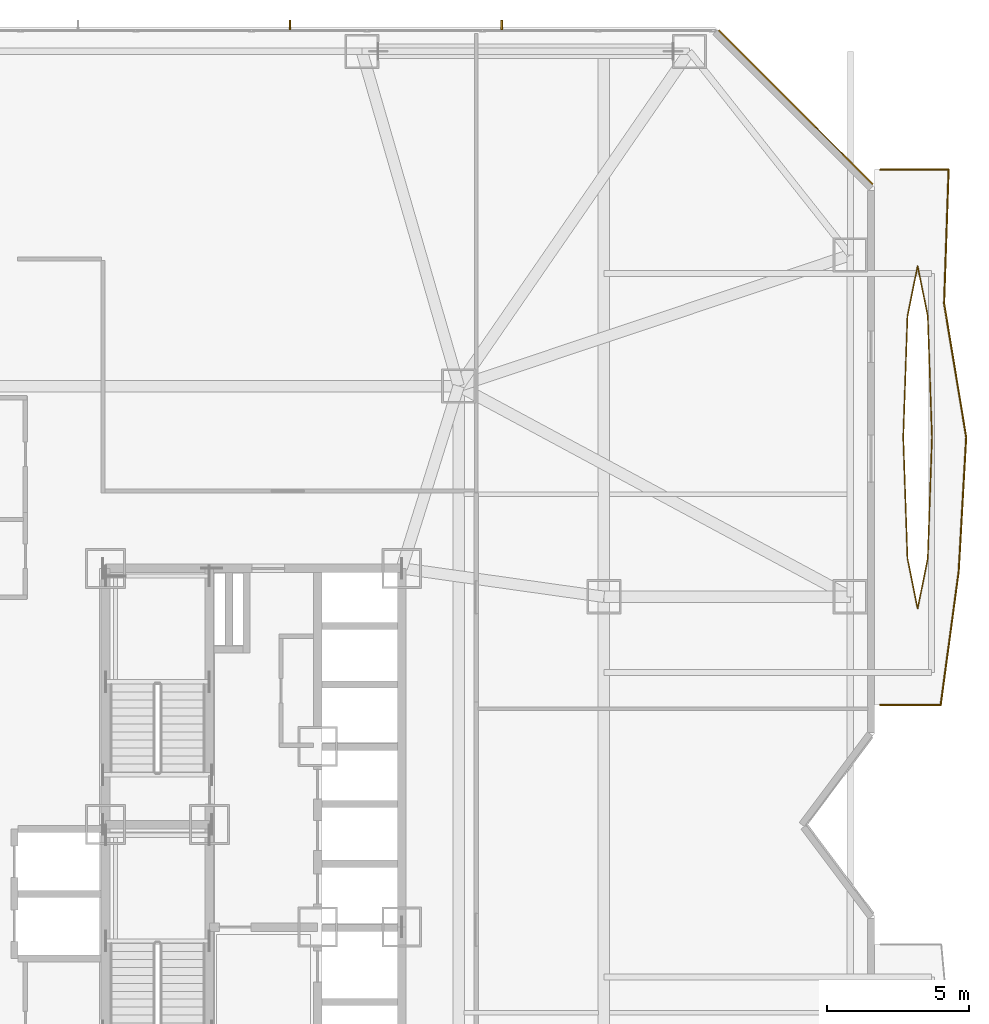
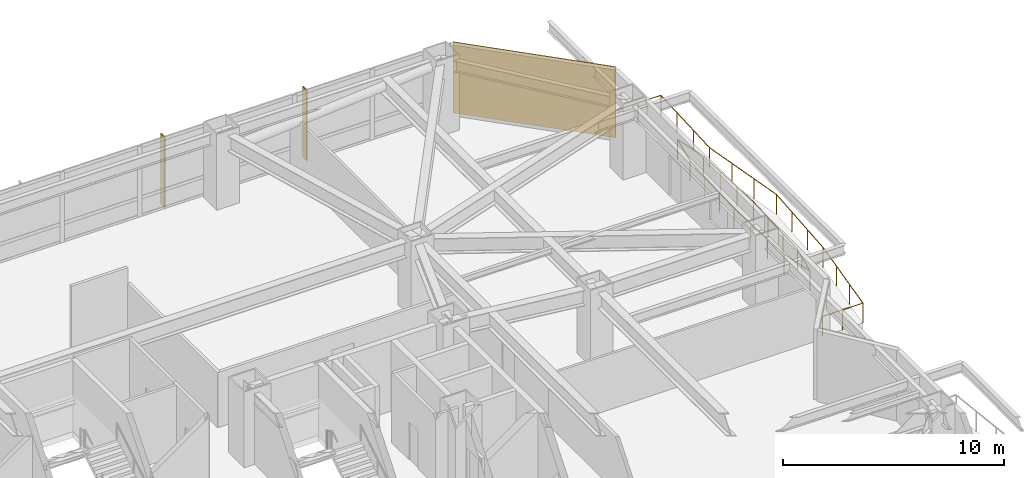
# One storey, part 32 of 32: 4 railings, 2 shading devices, 1 covering.
"""IFC4 building model written with IfcOpenShell, lengths in metres."""

from ifc_helpers import new_model, si_unit, direction, frame, origin, origin_2d, place, context, subcontext, project, spatial, rectangle, circle, extrude, material, layer, layer_set, type_object, element, save


model = new_model("IFC4")

# Units and contexts
model_context = context("Model", 3, precision=1e-05, world=origin(), true_north=direction((0.0, 1.0)))
body_context = subcontext(model_context, "Body", "Model", "MODEL_VIEW")
ifc_project = project(units=[si_unit("LENGTHUNIT", "METRE"), si_unit("AREAUNIT", "SQUARE_METRE"), si_unit("VOLUMEUNIT", "CUBIC_METRE"), si_unit("PLANEANGLEUNIT", "RADIAN"), si_unit("MASSUNIT", "GRAM", prefix="KILO")], contexts=[model_context])

# Site, building, storey
site_placement = place(None, origin())
site = spatial("IfcSite", under=ifc_project, at=site_placement, CompositionType="ELEMENT")
building_placement = place(site_placement, origin())
building = spatial("IfcBuilding", under=site, at=building_placement, Name="Khamvora Tower", CompositionType="ELEMENT")
storey_placement = place(building_placement, frame((0.0, 0.0, 12.0)))
storey = spatial("IfcBuildingStorey", under=building, at=storey_placement, Name="L02", CompositionType="ELEMENT", Elevation=12.0)

# Covering
ifc_material_1 = material(Name="Pale Anodised Aluminium Rainscreen Panel", Category="aluminium")
ifc_layer = layer(ifc_material_1, 0.044921875)
ifc_layer_set = layer_set([ifc_layer], Name="Pale Anodised Aluminium Rainscreen Panel")
covering_type = type_object("IfcCoveringType", Name="COV-CLD-ALU", PredefinedType="CLADDING", material=ifc_layer_set)
covering_placement = place(storey_placement, frame((53.239990234375, 53.18505859375, 0.0), z_axis=(0.0, 0.0, 1.0), x_axis=(0.707106781187, -0.707106781187, 0.0)))
element("IfcCovering", 1, at=covering_placement, inside=storey, type_object=covering_type, Name="L02 chamfer rainscreen cladding 08.1", PredefinedType="CLADDING", context=body_context, shape_type="SweptSolid", body=[
    extrude(rectangle(XDim=7.64306640625, YDim=0.044921875, at=origin_2d()), origin(), (0.0, 0.0, 1.0), 3.919921875),
])

# Railings
ifc_material_2 = material(Name="Stainless Steel 316 and Laminated Glass", Category="steel")
railing_type = type_object("IfcRailingType", Name="RAL-GAL-1120", PredefinedType="GUARDRAIL", material=ifc_material_2)
railing_1_placement = place(storey_placement, frame((56.199951171875, 32.199951171875, 0.0)))
element("IfcRailing", 2, at=railing_1_placement, inside=storey, type_object=railing_type, Name="L02 lens gallery south perimeter guardrail EL2", PredefinedType="GUARDRAIL", context=body_context, shape_type="SweptSolid", body=[
    extrude(circle(Radius=0.02392578125, at=origin_2d()), frame((0.0, 0.0, 1.09619140625), z_axis=(1.0, 0.0, 0.0), x_axis=(0.0, 1.0, 0.0)), (0.0, 0.0, 1.0), 2.125),
    extrude(circle(Radius=0.02392578125, at=origin_2d()), frame((2.125, 0.0, 1.09619140625), z_axis=(0.133488830384, 0.991050317674, 0.0), x_axis=(-0.991050317674, 0.133488830384, 0.0)), (0.0, 0.0, 1.0), 4.742431640625),
    extrude(circle(Radius=0.02392578125, at=origin_2d()), frame((2.758056640625, 4.699951171875, 1.09619140625), z_axis=(0.055854908118, 0.998438896097, 0.0), x_axis=(-0.998438896097, 0.055854908118, 0.0)), (0.0, 0.0, 1.0), 4.70751953125),
    extrude(circle(Radius=0.02099609375, at=origin_2d()), origin(), (0.0, 0.0, 1.0), 1.072021484375),
    extrude(circle(Radius=0.02099609375, at=origin_2d()), frame((1.0625, 0.0, 0.0)), (0.0, 0.0, 1.0), 1.072021484375),
    extrude(circle(Radius=0.02099609375, at=origin_2d()), frame((2.125, 0.0, 0.0)), (0.0, 0.0, 1.0), 1.072021484375),
    extrude(circle(Radius=0.02099609375, at=origin_2d()), frame((2.3359375, 1.566650390625, 0.0)), (0.0, 0.0, 1.0), 1.072021484375),
    extrude(circle(Radius=0.02099609375, at=origin_2d()), frame((2.547119140625, 3.13330078125, 0.0)), (0.0, 0.0, 1.0), 1.072021484375),
    extrude(circle(Radius=0.02099609375, at=origin_2d()), frame((2.758056640625, 4.699951171875, 0.0)), (0.0, 0.0, 1.0), 1.072021484375),
    extrude(circle(Radius=0.02099609375, at=origin_2d()), frame((2.845703125, 6.2666015625, 0.0)), (0.0, 0.0, 1.0), 1.072021484375),
    extrude(circle(Radius=0.02099609375, at=origin_2d()), frame((2.933349609375, 7.83349609375, 0.0)), (0.0, 0.0, 1.0), 1.072021484375),
    extrude(circle(Radius=0.02099609375, at=origin_2d()), frame((3.02099609375, 9.400146484375, 0.0)), (0.0, 0.0, 1.0), 1.072021484375),
])
railing_2_placement = place(storey_placement, frame((59.220947265625, 41.60009765625, 0.0)))
element("IfcRailing", 3, at=railing_2_placement, inside=storey, type_object=railing_type, Name="L02 lens gallery north perimeter guardrail EL2", PredefinedType="GUARDRAIL", context=body_context, shape_type="SweptSolid", body=[
    extrude(circle(Radius=0.02392578125, at=origin_2d()), frame((0.0, 0.0, 1.09619140625), z_axis=(-0.162877863416, 0.986646239343, 0.0), x_axis=(-0.986646239343, -0.162877863416, 0.0)), (0.0, 0.0, 1.0), 4.763671875),
    extrude(circle(Radius=0.02392578125, at=origin_2d()), frame((-0.77587890625, 4.699951171875, 1.09619140625), z_axis=(0.033797106291, 0.99942871462, 0.0), x_axis=(-0.99942871462, 0.033797106291, 0.0)), (0.0, 0.0, 1.0), 4.70263671875),
    extrude(circle(Radius=0.02392578125, at=origin_2d()), frame((-0.616943359375, 9.39990234375, 1.09619140625), z_axis=(-1.0, 0.0, 0.0), x_axis=(0.0, -1.0, 0.0)), (0.0, 0.0, 1.0), 2.404052734375),
    extrude(circle(Radius=0.02099609375, at=origin_2d()), origin(), (0.0, 0.0, 1.0), 1.072021484375),
    extrude(circle(Radius=0.02099609375, at=origin_2d()), frame((-0.258544921875, 1.566650390625, 0.0)), (0.0, 0.0, 1.0), 1.072021484375),
    extrude(circle(Radius=0.02099609375, at=origin_2d()), frame((-0.517333984375, 3.13330078125, 0.0)), (0.0, 0.0, 1.0), 1.072021484375),
    extrude(circle(Radius=0.02099609375, at=origin_2d()), frame((-0.77587890625, 4.699951171875, 0.0)), (0.0, 0.0, 1.0), 1.072021484375),
    extrude(circle(Radius=0.02099609375, at=origin_2d()), frame((-0.722900390625, 6.2666015625, 0.0)), (0.0, 0.0, 1.0), 1.072021484375),
    extrude(circle(Radius=0.02099609375, at=origin_2d()), frame((-0.669921875, 7.833251953125, 0.0)), (0.0, 0.0, 1.0), 1.072021484375),
    extrude(circle(Radius=0.02099609375, at=origin_2d()), frame((-0.616943359375, 9.39990234375, 0.0)), (0.0, 0.0, 1.0), 1.072021484375),
    extrude(circle(Radius=0.02099609375, at=origin_2d()), frame((-1.81884765625, 9.39990234375, 0.0)), (0.0, 0.0, 1.0), 1.072021484375),
    extrude(circle(Radius=0.02099609375, at=origin_2d()), frame((-3.02099609375, 9.39990234375, 0.0)), (0.0, 0.0, 1.0), 1.072021484375),
])
railing_3_placement = place(storey_placement, frame((58.01904296875, 41.60009765625, 0.0)))
element("IfcRailing", 4, at=railing_3_placement, inside=storey, type_object=railing_type, Name="L02 lens gallery void guardrail EL2A", PredefinedType="GUARDRAIL", context=body_context, shape_type="SweptSolid", body=[
    extrude(circle(Radius=0.02392578125, at=origin_2d()), frame((0.0, 0.0, 1.09619140625), z_axis=(-0.034758598303, 0.999395737355, 0.0), x_axis=(-0.999395737355, -0.034758598303, 0.0)), (0.0, 0.0, 1.0), 4.256591796875),
    extrude(circle(Radius=0.02392578125, at=origin_2d()), frame((-0.14794921875, 4.25390625, 1.09619140625), z_axis=(-0.198152924969, 0.98017111686, 0.0), x_axis=(-0.98017111686, -0.198152924969, 0.0)), (0.0, 0.0, 1.0), 1.797607421875),
    extrude(circle(Radius=0.02392578125, at=origin_2d()), frame((-0.504150390625, 6.015869140625, 1.09619140625), z_axis=(-0.198022438185, -0.980197487232, 0.0), x_axis=(0.980197487232, -0.198022438185, 0.0)), (0.0, 0.0, 1.0), 1.797607421875),
    extrude(circle(Radius=0.02392578125, at=origin_2d()), frame((-0.860107421875, 4.25390625, 1.09619140625), z_axis=(-0.034758598303, -0.999395737355, 0.0), x_axis=(0.999395737355, -0.034758598303, 0.0)), (0.0, 0.0, 1.0), 4.256591796875),
    extrude(circle(Radius=0.02099609375, at=origin_2d()), origin(), (0.0, 0.0, 1.0), 1.072021484375),
    extrude(circle(Radius=0.02099609375, at=origin_2d()), frame((-0.04931640625, 1.41796875, 0.0)), (0.0, 0.0, 1.0), 1.072021484375),
    extrude(circle(Radius=0.02099609375, at=origin_2d()), frame((-0.0986328125, 2.8359375, 0.0)), (0.0, 0.0, 1.0), 1.072021484375),
    extrude(circle(Radius=0.02099609375, at=origin_2d()), frame((-0.14794921875, 4.25390625, 0.0)), (0.0, 0.0, 1.0), 1.072021484375),
    extrude(circle(Radius=0.02099609375, at=origin_2d()), frame((-0.504150390625, 6.015869140625, 0.0)), (0.0, 0.0, 1.0), 1.072021484375),
    extrude(circle(Radius=0.02099609375, at=origin_2d()), frame((-0.860107421875, 4.25390625, 0.0)), (0.0, 0.0, 1.0), 1.072021484375),
    extrude(circle(Radius=0.02099609375, at=origin_2d()), frame((-0.909423828125, 2.8359375, 0.0)), (0.0, 0.0, 1.0), 1.072021484375),
    extrude(circle(Radius=0.02099609375, at=origin_2d()), frame((-0.958740234375, 1.41796875, 0.0)), (0.0, 0.0, 1.0), 1.072021484375),
    extrude(circle(Radius=0.02099609375, at=origin_2d()), frame((-1.008056640625, 0.0, 0.0)), (0.0, 0.0, 1.0), 1.072021484375),
])
railing_4_placement = place(storey_placement, frame((57.010986328125, 41.60009765625, 0.0)))
element("IfcRailing", 5, at=railing_4_placement, inside=storey, type_object=railing_type, Name="L02 lens gallery void guardrail EL2B", PredefinedType="GUARDRAIL", context=body_context, shape_type="SweptSolid", body=[
    extrude(circle(Radius=0.02392578125, at=origin_2d()), frame((0.0, 0.0, 1.09619140625), z_axis=(0.034756605959, -0.999395806646, 0.0), x_axis=(0.999395806646, 0.034756605959, 0.0)), (0.0, 0.0, 1.0), 4.2568359375),
    extrude(circle(Radius=0.02392578125, at=origin_2d()), frame((0.14794921875, -4.254150390625, 1.09619140625), z_axis=(0.198022438185, -0.980197487232, 0.0), x_axis=(0.980197487232, 0.198022438185, 0.0)), (0.0, 0.0, 1.0), 1.797607421875),
    extrude(circle(Radius=0.02392578125, at=origin_2d()), frame((0.50390625, -6.01611328125, 1.09619140625), z_axis=(0.198152924969, 0.98017111686, 0.0), x_axis=(-0.98017111686, 0.198152924969, 0.0)), (0.0, 0.0, 1.0), 1.797607421875),
    extrude(circle(Radius=0.02392578125, at=origin_2d()), frame((0.860107421875, -4.254150390625, 1.09619140625), z_axis=(0.034756605959, 0.999395806646, 0.0), x_axis=(-0.999395806646, 0.034756605959, 0.0)), (0.0, 0.0, 1.0), 4.2568359375),
    extrude(circle(Radius=0.02099609375, at=origin_2d()), origin(), (0.0, 0.0, 1.0), 1.072021484375),
    extrude(circle(Radius=0.02099609375, at=origin_2d()), frame((0.04931640625, -1.41796875, 0.0)), (0.0, 0.0, 1.0), 1.072021484375),
    extrude(circle(Radius=0.02099609375, at=origin_2d()), frame((0.0986328125, -2.836181640625, 0.0)), (0.0, 0.0, 1.0), 1.072021484375),
    extrude(circle(Radius=0.02099609375, at=origin_2d()), frame((0.14794921875, -4.254150390625, 0.0)), (0.0, 0.0, 1.0), 1.072021484375),
    extrude(circle(Radius=0.02099609375, at=origin_2d()), frame((0.50390625, -6.01611328125, 0.0)), (0.0, 0.0, 1.0), 1.072021484375),
    extrude(circle(Radius=0.02099609375, at=origin_2d()), frame((0.860107421875, -4.254150390625, 0.0)), (0.0, 0.0, 1.0), 1.072021484375),
    extrude(circle(Radius=0.02099609375, at=origin_2d()), frame((0.909423828125, -2.836181640625, 0.0)), (0.0, 0.0, 1.0), 1.072021484375),
    extrude(circle(Radius=0.02099609375, at=origin_2d()), frame((0.958740234375, -1.41796875, 0.0)), (0.0, 0.0, 1.0), 1.072021484375),
    extrude(circle(Radius=0.02099609375, at=origin_2d()), frame((1.008056640625, 0.0, 0.0)), (0.0, 0.0, 1.0), 1.072021484375),
])

# Shading devices
ifc_material_3 = material(Name="Anodised Bronze Aluminium 6063-T6", Category="aluminium")
shading_device_type = type_object("IfcShadingDeviceType", Name="SHD-FIN-350", PredefinedType="USERDEFINED", material=ifc_material_3)
for number, where, z_axis, x_axis, name in (
    (6, (35.47607421875, 56.077880859375, 0.0), (0.0, 0.0, 1.0), (1.0, 0.0, 0.0), "L02 anodised bronze solar fin 07.04"),
    (7, (42.9130859375, 56.077880859375, 0.0), (0.0, 0.0, 1.0), (1.0, 0.0, 0.0), "L02 anodised bronze solar fin 07.05"),
):
    element("IfcShadingDevice", number, at=place(storey_placement, frame(where, z_axis=z_axis, x_axis=x_axis)), inside=storey, type_object=shading_device_type, Name=name, ObjectType="FIN", PredefinedType="USERDEFINED", context=body_context, shape_type="SweptSolid", body=[
        extrude(rectangle(XDim=0.054931640625, YDim=0.35009765625, at=origin_2d()), origin(), (0.0, 0.0, 1.0), 3.919921875),
    ])

save(model, "model.ifc")
